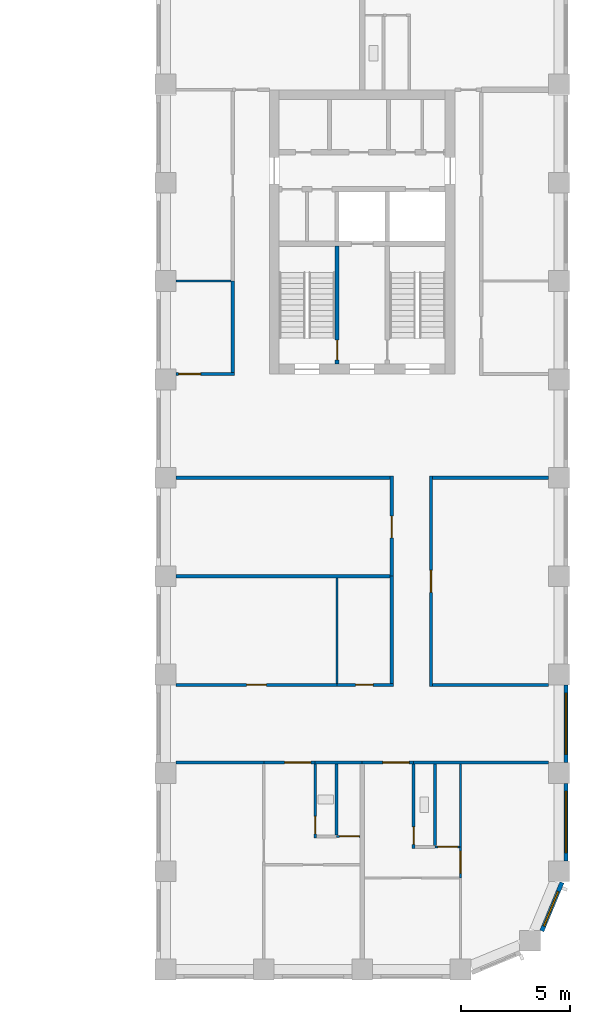
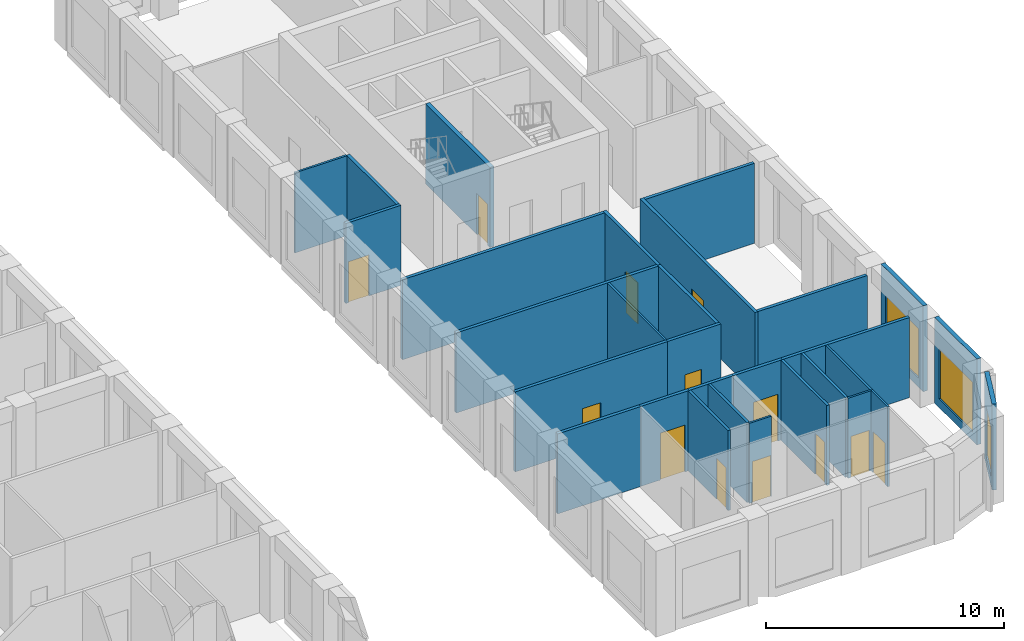
# One storey, part 5 of 13: 30 walls, 13 doors, 3 windows, 16 openings.
"""IFC4 building model written with IfcOpenShell, lengths in metres."""

from ifc_helpers import new_model, si_unit, direction, frame, frame_2d, origin, place, context, subcontext, project, spatial, rectangle, extrude, material, layer, layer_set, type_object, element, fill, save


model = new_model("IFC4")

# Units and contexts
model_context = context("Model", 3, precision=1e-05, world=origin(), true_north=direction((0.0, 1.0)))
body_context = subcontext(model_context, "Body", "Model", "MODEL_VIEW")
ifc_project = project(units=[si_unit("LENGTHUNIT", "METRE"), si_unit("AREAUNIT", "SQUARE_METRE"), si_unit("VOLUMEUNIT", "CUBIC_METRE"), si_unit("PLANEANGLEUNIT", "RADIAN"), si_unit("MASSUNIT", "GRAM", prefix="KILO")], contexts=[model_context])

# Site, building, storey
site_placement = place(None, origin())
site = spatial("IfcSite", under=ifc_project, at=site_placement, CompositionType="ELEMENT")
building_placement = place(site_placement, origin())
building = spatial("IfcBuilding", under=site, at=building_placement, Name="Girih Gate Residences", CompositionType="ELEMENT")
storey_placement = place(building_placement, frame((0.0, 0.0, 150.60009765625)))
storey = spatial("IfcBuildingStorey", under=building, at=storey_placement, Name="L42", CompositionType="ELEMENT", Elevation=150.60009765625)

# Wall
ifc_material_1 = material(Name="Gypsum board on steel studs", Category="steel")
ifc_layer_1 = layer(ifc_material_1, 0.14990234375)
ifc_layer_set_1 = layer_set([ifc_layer_1], Name="Compartment wall 150 mm")
wall_type_1 = type_object("IfcWallType", Name="Compartment wall 150 mm", PredefinedType="PARTITIONING", material=ifc_layer_set_1)
wall_1_placement = place(storey_placement, frame((42.85009765625, 9.47509765625, 0.0), z_axis=(0.0, 0.0, 1.0), x_axis=(1.0, 0.0, 0.0)))
element("IfcWall", 1, at=wall_1_placement, inside=storey, type_object=wall_type_1, Name="L42 partition", PredefinedType="PARTITIONING", context=body_context, shape_type="SweptSolid", body=[
    extrude(rectangle(XDim=6.1748046875, YDim=0.14990234375, at=frame_2d((3.08740234375, 0.0))), origin(), (0.0, 0.0, 1.0), 4.099853515625),
])

# Wall, opening, door
wall_2_placement = place(storey_placement, frame((42.85009765625, 9.47509765625, 0.0), z_axis=(0.0, 0.0, 1.0), x_axis=(-1.0, 0.0, 0.0)))
wall_2 = element("IfcWall", 2, at=wall_2_placement, inside=storey, type_object=wall_type_1, Name="L42 partition", PredefinedType="PARTITIONING", context=body_context, shape_type="SweptSolid", body=[
    extrude(rectangle(XDim=2.35009765625, YDim=0.14990234375, at=frame_2d((1.175048828125, 0.0))), origin(), (0.0, 0.0, 1.0), 4.099853515625),
])
opening_1_placement = place(wall_2_placement, frame((0.199951171875, 0.0, 0.0)))
opening_1 = element("IfcOpeningElement", 3, at=opening_1_placement, cuts=wall_2, Name="Opening A42-016", PredefinedType="OPENING", context=body_context, shape_type="SweptSolid", body=[
    extrude(rectangle(XDim=1.199951171875, YDim=2.39990234375, at=frame_2d((0.60009765625, 1.199951171875))), frame((0.0, 0.0849609375, 0.0), z_axis=(0.0, -1.0, 0.0), x_axis=(1.0, 0.0, 0.0)), (0.0, 0.0, 1.0), 0.169921875),
])
ifc_material_2 = material(Name="Timber, fire-rated core", Category="wood")
door_type_1 = type_object("IfcDoorType", Name="Villa entrance door 1200x2400 FD30S", OperationType="NOTDEFINED", PredefinedType="DOOR", material=ifc_material_2)
door_1_placement = place(opening_1_placement, origin())
door_1 = element("IfcDoor", 4, at=door_1_placement, inside=storey, type_object=door_type_1, Name="Door A42-016", OperationType="SINGLE_SWING_LEFT", OverallHeight=2.39990234375, OverallWidth=1.199951171875, PredefinedType="DOOR", context=body_context, shape_type="SweptSolid", body=[
    extrude(rectangle(XDim=1.199951171875, YDim=2.39990234375, at=frame_2d((0.60009765625, 1.199951171875))), frame((0.0, 0.02490234375, 0.0), z_axis=(0.0, -1.0, 0.0), x_axis=(1.0, 0.0, 0.0)), (0.0, 0.0, 1.0), 0.050048828125),
])
fill(opening_1, door_1)

# Wall
wall_3_placement = place(storey_placement, frame((38.35009765625, 9.47509765625, 0.0), z_axis=(0.0, 0.0, 1.0), x_axis=(1.0, 0.0, 0.0)))
element("IfcWall", 5, at=wall_3_placement, inside=storey, type_object=wall_type_1, Name="L42 partition", PredefinedType="PARTITIONING", context=body_context, shape_type="SweptSolid", body=[
    extrude(rectangle(XDim=2.14990234375, YDim=0.14990234375, at=frame_2d((1.074951171875, 0.0))), origin(), (0.0, 0.0, 1.0), 4.099853515625),
])

# Wall, opening, door
wall_4_placement = place(storey_placement, frame((38.35009765625, 9.47509765625, 0.0), z_axis=(0.0, 0.0, 1.0), x_axis=(-1.0, 0.0, 0.0)))
wall_4 = element("IfcWall", 6, at=wall_4_placement, inside=storey, type_object=wall_type_1, Name="L42 partition", PredefinedType="PARTITIONING", context=body_context, shape_type="SweptSolid", body=[
    extrude(rectangle(XDim=2.35009765625, YDim=0.14990234375, at=frame_2d((1.175048828125, 0.0))), origin(), (0.0, 0.0, 1.0), 4.099853515625),
])
opening_2_placement = place(wall_4_placement, frame((0.199951171875, 0.0, 0.0)))
opening_2 = element("IfcOpeningElement", 7, at=opening_2_placement, cuts=wall_4, Name="Opening A42-021", PredefinedType="OPENING", context=body_context, shape_type="SweptSolid", body=[
    extrude(rectangle(XDim=1.199951171875, YDim=2.39990234375, at=frame_2d((0.60009765625, 1.199951171875))), frame((0.0, 0.0849609375, 0.0), z_axis=(0.0, -1.0, 0.0), x_axis=(1.0, 0.0, 0.0)), (0.0, 0.0, 1.0), 0.169921875),
])
door_2_placement = place(opening_2_placement, origin())
door_2 = element("IfcDoor", 8, at=door_2_placement, inside=storey, type_object=door_type_1, Name="Door A42-021", OperationType="SINGLE_SWING_LEFT", OverallHeight=2.39990234375, OverallWidth=1.199951171875, PredefinedType="DOOR", context=body_context, shape_type="SweptSolid", body=[
    extrude(rectangle(XDim=1.199951171875, YDim=2.39990234375, at=frame_2d((0.60009765625, 1.199951171875))), frame((0.0, 0.02490234375, 0.0), z_axis=(0.0, -1.0, 0.0), x_axis=(1.0, 0.0, 0.0)), (0.0, 0.0, 1.0), 0.050048828125),
])
fill(opening_2, door_2)

# Walls
wall_5_placement = place(storey_placement, frame((31.97509765625, 9.47509765625, 0.0), z_axis=(0.0, 0.0, 1.0), x_axis=(1.0, 0.0, 0.0)))
element("IfcWall", 9, at=wall_5_placement, inside=storey, type_object=wall_type_1, Name="L42 partition", PredefinedType="PARTITIONING", context=body_context, shape_type="SweptSolid", body=[
    extrude(rectangle(XDim=4.02490234375, YDim=0.14990234375, at=frame_2d((2.012451171875, 0.0))), origin(), (0.0, 0.0, 1.0), 4.099853515625),
])
wall_6_placement = place(storey_placement, frame((31.97509765625, 22.5, 0.0), z_axis=(0.0, 0.0, 1.0), x_axis=(1.0, 0.0, 0.0)))
element("IfcWall", 10, at=wall_6_placement, inside=storey, type_object=wall_type_1, Name="L42 partition", PredefinedType="PARTITIONING", context=body_context, shape_type="SweptSolid", body=[
    extrude(rectangle(XDim=9.7998046875, YDim=0.14990234375, at=frame_2d((4.89990234375, 0.0))), origin(), (0.0, 0.0, 1.0), 4.099853515625),
])

# Wall, opening, door
wall_7_placement = place(storey_placement, frame((41.85009765625, 18.0, 0.0), z_axis=(0.0, 0.0, 1.0), x_axis=(0.0, 1.0, 0.0)))
wall_7 = element("IfcWall", 11, at=wall_7_placement, inside=storey, type_object=wall_type_1, Name="L42 partition", PredefinedType="PARTITIONING", context=body_context, shape_type="SweptSolid", body=[
    extrude(rectangle(XDim=4.574951171875, YDim=0.14990234375, at=frame_2d((2.28759765625, 0.0))), origin(), (0.0, 0.0, 1.0), 4.099853515625),
])
opening_3_placement = place(wall_7_placement, frame((1.75, 0.0, 0.0)))
opening_3 = element("IfcOpeningElement", 12, at=opening_3_placement, cuts=wall_7, Name="Opening A42-027", PredefinedType="OPENING", context=body_context, shape_type="SweptSolid", body=[
    extrude(rectangle(XDim=1.0, YDim=2.10009765625, at=frame_2d((0.5, 1.050048828125))), frame((0.0, 0.0849609375, 0.0), z_axis=(0.0, -1.0, 0.0), x_axis=(1.0, 0.0, 0.0)), (0.0, 0.0, 1.0), 0.169921875),
])
door_type_2 = type_object("IfcDoorType", Name="Amenity room door 1000x2100 FD30S", OperationType="NOTDEFINED", PredefinedType="DOOR", material=ifc_material_2)
door_3_placement = place(opening_3_placement, origin())
door_3 = element("IfcDoor", 13, at=door_3_placement, inside=storey, type_object=door_type_2, Name="Door A42-027", OperationType="SINGLE_SWING_LEFT", OverallHeight=2.10009765625, OverallWidth=1.0, PredefinedType="DOOR", context=body_context, shape_type="SweptSolid", body=[
    extrude(rectangle(XDim=1.0, YDim=2.10009765625, at=frame_2d((0.5, 1.050048828125))), frame((0.0, 0.02490234375, 0.0), z_axis=(0.0, -1.0, 0.0), x_axis=(1.0, 0.0, 0.0)), (0.0, 0.0, 1.0), 0.050048828125),
])
fill(opening_3, door_3)

# Wall
wall_8_placement = place(storey_placement, frame((31.97509765625, 18.0, 0.0), z_axis=(0.0, 0.0, 1.0), x_axis=(1.0, 0.0, 0.0)))
element("IfcWall", 14, at=wall_8_placement, inside=storey, type_object=wall_type_1, Name="L42 partition", PredefinedType="PARTITIONING", context=body_context, shape_type="SweptSolid", body=[
    extrude(rectangle(XDim=9.7998046875, YDim=0.14990234375, at=frame_2d((4.89990234375, 0.0))), origin(), (0.0, 0.0, 1.0), 4.099853515625),
])

# Wall, opening, door
wall_9_placement = place(storey_placement, frame((31.97509765625, 13.02490234375, 0.0), z_axis=(0.0, 0.0, 1.0), x_axis=(1.0, 0.0, 0.0)))
wall_9 = element("IfcWall", 15, at=wall_9_placement, inside=storey, type_object=wall_type_1, Name="L42 partition", PredefinedType="PARTITIONING", context=body_context, shape_type="SweptSolid", body=[
    extrude(rectangle(XDim=7.375, YDim=0.14990234375, at=frame_2d((3.6875, 0.0))), origin(), (0.0, 0.0, 1.0), 4.099853515625),
])
opening_4_placement = place(wall_9_placement, frame((3.237548828125, 0.0, 0.0)))
opening_4 = element("IfcOpeningElement", 16, at=opening_4_placement, cuts=wall_9, Name="Opening A42-029", PredefinedType="OPENING", context=body_context, shape_type="SweptSolid", body=[
    extrude(rectangle(XDim=0.89990234375, YDim=2.10009765625, at=frame_2d((0.449951171875, 1.050048828125))), frame((0.0, 0.0849609375, 0.0), z_axis=(0.0, -1.0, 0.0), x_axis=(1.0, 0.0, 0.0)), (0.0, 0.0, 1.0), 0.169921875),
])
ifc_material_3 = material(Name="Timber", Category="wood")
door_type_3 = type_object("IfcDoorType", Name="Service room door 900x2100", OperationType="NOTDEFINED", PredefinedType="DOOR", material=ifc_material_3)
door_4_placement = place(opening_4_placement, origin())
door_4 = element("IfcDoor", 17, at=door_4_placement, inside=storey, type_object=door_type_3, Name="Door A42-029", OperationType="SINGLE_SWING_LEFT", OverallHeight=2.10009765625, OverallWidth=0.89990234375, PredefinedType="DOOR", context=body_context, shape_type="SweptSolid", body=[
    extrude(rectangle(XDim=0.89990234375, YDim=2.10009765625, at=frame_2d((0.449951171875, 1.050048828125))), frame((0.0, 0.02490234375, 0.0), z_axis=(0.0, -1.0, 0.0), x_axis=(1.0, 0.0, 0.0)), (0.0, 0.0, 1.0), 0.050048828125),
])
fill(opening_4, door_4)

wall_10_placement = place(storey_placement, frame((39.35009765625, 13.02490234375, 0.0), z_axis=(0.0, 0.0, 1.0), x_axis=(1.0, 0.0, 0.0)))
wall_10 = element("IfcWall", 18, at=wall_10_placement, inside=storey, type_object=wall_type_1, Name="L42 partition", PredefinedType="PARTITIONING", context=body_context, shape_type="SweptSolid", body=[
    extrude(rectangle(XDim=2.574951171875, YDim=0.14990234375, at=frame_2d((1.28759765625, 0.0))), origin(), (0.0, 0.0, 1.0), 4.099853515625),
])
opening_5_placement = place(wall_10_placement, frame((0.85009765625, 0.0, 0.0)))
opening_5 = element("IfcOpeningElement", 19, at=opening_5_placement, cuts=wall_10, Name="Opening A42-030", PredefinedType="OPENING", context=body_context, shape_type="SweptSolid", body=[
    extrude(rectangle(XDim=0.800048828125, YDim=2.10009765625, at=frame_2d((0.39990234375, 1.050048828125))), frame((0.0, 0.0849609375, 0.0), z_axis=(0.0, -1.0, 0.0), x_axis=(1.0, 0.0, 0.0)), (0.0, 0.0, 1.0), 0.169921875),
])
door_type_4 = type_object("IfcDoorType", Name="Bathroom door 800x2100", OperationType="NOTDEFINED", PredefinedType="DOOR", material=ifc_material_3)
door_5_placement = place(opening_5_placement, origin())
door_5 = element("IfcDoor", 20, at=door_5_placement, inside=storey, type_object=door_type_4, Name="Door A42-030", OperationType="SINGLE_SWING_LEFT", OverallHeight=2.10009765625, OverallWidth=0.800048828125, PredefinedType="DOOR", context=body_context, shape_type="SweptSolid", body=[
    extrude(rectangle(XDim=0.800048828125, YDim=2.10009765625, at=frame_2d((0.39990234375, 1.050048828125))), frame((0.0, 0.02490234375, 0.0), z_axis=(0.0, -1.0, 0.0), x_axis=(1.0, 0.0, 0.0)), (0.0, 0.0, 1.0), 0.050048828125),
])
fill(opening_5, door_5)

# Wall
wall_11_placement = place(storey_placement, frame((43.72509765625, 13.02490234375, 0.0), z_axis=(0.0, 0.0, 1.0), x_axis=(1.0, 0.0, 0.0)))
element("IfcWall", 21, at=wall_11_placement, inside=storey, type_object=wall_type_1, Name="L42 partition", PredefinedType="PARTITIONING", context=body_context, shape_type="SweptSolid", body=[
    extrude(rectangle(XDim=5.2998046875, YDim=0.14990234375, at=frame_2d((2.64990234375, 0.0))), origin(), (0.0, 0.0, 1.0), 4.099853515625),
])

# Wall, opening, door
wall_12_placement = place(storey_placement, frame((31.97509765625, 27.25, 0.0), z_axis=(0.0, 0.0, 1.0), x_axis=(1.0, 0.0, 0.0)))
wall_12 = element("IfcWall", 22, at=wall_12_placement, inside=storey, type_object=wall_type_1, Name="L42 partition", PredefinedType="PARTITIONING", context=body_context, shape_type="SweptSolid", body=[
    extrude(rectangle(XDim=2.6748046875, YDim=0.14990234375, at=frame_2d((1.33740234375, 0.0))), origin(), (0.0, 0.0, 1.0), 4.099853515625),
])
opening_6_placement = place(wall_12_placement, frame((0.1298828125, 0.0, 0.0)))
opening_6 = element("IfcOpeningElement", 23, at=opening_6_placement, cuts=wall_12, Name="Opening A42-035", PredefinedType="OPENING", context=body_context, shape_type="SweptSolid", body=[
    extrude(rectangle(XDim=1.0, YDim=2.10009765625, at=frame_2d((0.5, 1.050048828125))), frame((0.0, 0.0849609375, 0.0), z_axis=(0.0, -1.0, 0.0), x_axis=(1.0, 0.0, 0.0)), (0.0, 0.0, 1.0), 0.169921875),
])
door_6_placement = place(opening_6_placement, origin())
door_6 = element("IfcDoor", 24, at=door_6_placement, inside=storey, type_object=door_type_2, Name="Door A42-035", OperationType="SINGLE_SWING_LEFT", OverallHeight=2.10009765625, OverallWidth=1.0, PredefinedType="DOOR", context=body_context, shape_type="SweptSolid", body=[
    extrude(rectangle(XDim=1.0, YDim=2.10009765625, at=frame_2d((0.5, 1.050048828125))), frame((0.0, 0.02490234375, 0.0), z_axis=(0.0, -1.0, 0.0), x_axis=(1.0, 0.0, 0.0)), (0.0, 0.0, 1.0), 0.050048828125),
])
fill(opening_6, door_6)

# Walls
wall_13_placement = place(storey_placement, frame((34.574951171875, 27.324951171875, 0.0), z_axis=(0.0, 0.0, 1.0), x_axis=(0.0, 1.0, 0.0)))
element("IfcWall", 25, at=wall_13_placement, inside=storey, type_object=wall_type_1, Name="L42 partition", PredefinedType="PARTITIONING", context=body_context, shape_type="SweptSolid", body=[
    extrude(rectangle(XDim=4.175048828125, YDim=0.14990234375, at=frame_2d((2.08740234375, 0.0))), origin(), (0.0, 0.0, 1.0), 4.099853515625),
])
wall_14_placement = place(storey_placement, frame((43.72509765625, 22.5, 0.0), z_axis=(0.0, 0.0, 1.0), x_axis=(1.0, 0.0, 0.0)))
element("IfcWall", 26, at=wall_14_placement, inside=storey, type_object=wall_type_1, Name="L42 partition", PredefinedType="PARTITIONING", context=body_context, shape_type="SweptSolid", body=[
    extrude(rectangle(XDim=5.2998046875, YDim=0.14990234375, at=frame_2d((2.64990234375, 0.0))), origin(), (0.0, 0.0, 1.0), 4.099853515625),
])
wall_15_placement = place(storey_placement, frame((41.85009765625, 13.10009765625, 0.0), z_axis=(0.0, 0.0, 1.0), x_axis=(0.0, 1.0, 0.0)))
element("IfcWall", 27, at=wall_15_placement, inside=storey, type_object=wall_type_1, Name="L42 partition", PredefinedType="PARTITIONING", context=body_context, shape_type="SweptSolid", body=[
    extrude(rectangle(XDim=4.89990234375, YDim=0.14990234375, at=frame_2d((2.449951171875, 0.0))), origin(), (0.0, 0.0, 1.0), 4.099853515625),
])

# Wall, opening, door
wall_16_placement = place(storey_placement, frame((43.64990234375, 22.574951171875, 0.0), z_axis=(0.0, 0.0, 1.0), x_axis=(0.0, -1.0, 0.0)))
wall_16 = element("IfcWall", 28, at=wall_16_placement, inside=storey, type_object=wall_type_1, Name="L42 partition", PredefinedType="PARTITIONING", context=body_context, shape_type="SweptSolid", body=[
    extrude(rectangle(XDim=9.625, YDim=0.14990234375, at=frame_2d((4.8125, 0.0))), origin(), (0.0, 0.0, 1.0), 4.099853515625),
])
opening_7_placement = place(wall_16_placement, frame((4.3125, 0.0, 0.0)))
opening_7 = element("IfcOpeningElement", 29, at=opening_7_placement, cuts=wall_16, Name="Opening A42-043", PredefinedType="OPENING", context=body_context, shape_type="SweptSolid", body=[
    extrude(rectangle(XDim=1.0, YDim=2.10009765625, at=frame_2d((0.5, 1.050048828125))), frame((0.0, 0.0849609375, 0.0), z_axis=(0.0, -1.0, 0.0), x_axis=(1.0, 0.0, 0.0)), (0.0, 0.0, 1.0), 0.169921875),
])
door_7_placement = place(opening_7_placement, origin())
door_7 = element("IfcDoor", 30, at=door_7_placement, inside=storey, type_object=door_type_2, Name="Door A42-043", OperationType="SINGLE_SWING_RIGHT", OverallHeight=2.10009765625, OverallWidth=1.0, PredefinedType="DOOR", context=body_context, shape_type="SweptSolid", body=[
    extrude(rectangle(XDim=1.0, YDim=2.10009765625, at=frame_2d((0.5, 1.050048828125))), frame((0.0, 0.02490234375, 0.0), z_axis=(0.0, -1.0, 0.0), x_axis=(1.0, 0.0, 0.0)), (0.0, 0.0, 1.0), 0.050048828125),
])
fill(opening_7, door_7)

ifc_layer_2 = layer(ifc_material_1, 0.10009765625)
ifc_layer_set_2 = layer_set([ifc_layer_2], Name="Partition 100 mm")
wall_type_2 = type_object("IfcWallType", Name="Partition 100 mm", PredefinedType="PARTITIONING", material=ifc_layer_set_2)
wall_17_placement = place(storey_placement, frame((43.827392578125, 5.614990234375, 0.0), z_axis=(0.0, 0.0, 1.0), x_axis=(1.0, 0.0, 0.0)))
wall_17 = element("IfcWall", 31, at=wall_17_placement, inside=storey, type_object=wall_type_2, Name="L42 partition", PredefinedType="PARTITIONING", context=body_context, shape_type="SweptSolid", body=[
    extrude(rectangle(XDim=1.12255859375, YDim=0.10009765625, at=frame_2d((0.561279296875, 0.0))), origin(), (0.0, 0.0, 1.0), 4.099853515625),
])
opening_8_placement = place(wall_17_placement, frame((0.136474609375, 0.0, 0.0)))
opening_8 = element("IfcOpeningElement", 32, at=opening_8_placement, cuts=wall_17, Name="Opening A42-014", PredefinedType="OPENING", context=body_context, shape_type="SweptSolid", body=[
    extrude(rectangle(XDim=0.89990234375, YDim=2.10009765625, at=frame_2d((0.449951171875, 1.050048828125))), frame((0.0, 0.06005859375, 0.0), z_axis=(0.0, -1.0, 0.0), x_axis=(1.0, 0.0, 0.0)), (0.0, 0.0, 1.0), 0.1201171875),
])
door_type_5 = type_object("IfcDoorType", Name="Kitchen door 900x2100", OperationType="NOTDEFINED", PredefinedType="DOOR", material=ifc_material_3)
door_8_placement = place(opening_8_placement, origin())
door_8 = element("IfcDoor", 33, at=door_8_placement, inside=storey, type_object=door_type_5, Name="Door A42-014", OperationType="SINGLE_SWING_RIGHT", OverallHeight=2.10009765625, OverallWidth=0.89990234375, PredefinedType="DOOR", context=body_context, shape_type="SweptSolid", body=[
    extrude(rectangle(XDim=0.89990234375, YDim=2.10009765625, at=frame_2d((0.449951171875, 1.050048828125))), frame((0.0, 0.02490234375, 0.0), z_axis=(0.0, -1.0, 0.0), x_axis=(1.0, 0.0, 0.0)), (0.0, 0.0, 1.0), 0.050048828125),
])
fill(opening_8, door_8)

wall_18_placement = place(storey_placement, frame((45.0, 5.614990234375, 0.0), z_axis=(0.0, 0.0, 1.0), x_axis=(0.0, -1.0, 0.0)))
wall_18 = element("IfcWall", 34, at=wall_18_placement, inside=storey, type_object=wall_type_2, Name="L42 partition", PredefinedType="PARTITIONING", context=body_context, shape_type="SweptSolid", body=[
    extrude(rectangle(XDim=1.419921875, YDim=0.10009765625, at=frame_2d((0.7099609375, 0.0))), origin(), (0.0, 0.0, 1.0), 4.099853515625),
])
opening_9_placement = place(wall_18_placement, frame((0.2099609375, 0.0, 0.0)))
opening_9 = element("IfcOpeningElement", 35, at=opening_9_placement, cuts=wall_18, Name="Opening A42-015", PredefinedType="OPENING", context=body_context, shape_type="SweptSolid", body=[
    extrude(rectangle(XDim=1.0, YDim=2.10009765625, at=frame_2d((0.5, 1.050048828125))), frame((0.0, 0.06005859375, 0.0), z_axis=(0.0, -1.0, 0.0), x_axis=(1.0, 0.0, 0.0)), (0.0, 0.0, 1.0), 0.1201171875),
])
door_type_6 = type_object("IfcDoorType", Name="Living room door 1000x2100", OperationType="NOTDEFINED", PredefinedType="DOOR", material=ifc_material_3)
door_9_placement = place(opening_9_placement, origin())
door_9 = element("IfcDoor", 36, at=door_9_placement, inside=storey, type_object=door_type_6, Name="Door A42-015", OperationType="SINGLE_SWING_RIGHT", OverallHeight=2.10009765625, OverallWidth=1.0, PredefinedType="DOOR", context=body_context, shape_type="SweptSolid", body=[
    extrude(rectangle(XDim=1.0, YDim=2.10009765625, at=frame_2d((0.5, 1.050048828125))), frame((0.0, 0.02490234375, 0.0), z_axis=(0.0, -1.0, 0.0), x_axis=(1.0, 0.0, 0.0)), (0.0, 0.0, 1.0), 0.050048828125),
])
fill(opening_9, door_9)

# Wall
wall_19_placement = place(storey_placement, frame((45.0, 5.614990234375, 0.0), z_axis=(0.0, 0.0, 1.0), x_axis=(0.0, 1.0, 0.0)))
element("IfcWall", 37, at=wall_19_placement, inside=storey, type_object=wall_type_2, Name="L42 partition", PredefinedType="PARTITIONING", context=body_context, shape_type="SweptSolid", body=[
    extrude(rectangle(XDim=3.784912109375, YDim=0.10009765625, at=frame_2d((1.892578125, 0.0))), origin(), (0.0, 0.0, 1.0), 4.099853515625),
])

# Wall, opening, door
wall_20_placement = place(storey_placement, frame((39.327392578125, 6.094970703125, 0.0), z_axis=(0.0, 0.0, 1.0), x_axis=(1.0, 0.0, 0.0)))
wall_20 = element("IfcWall", 38, at=wall_20_placement, inside=storey, type_object=wall_type_2, Name="L42 partition", PredefinedType="PARTITIONING", context=body_context, shape_type="SweptSolid", body=[
    extrude(rectangle(XDim=1.072509765625, YDim=0.10009765625, at=frame_2d((0.5361328125, 0.0))), origin(), (0.0, 0.0, 1.0), 4.099853515625),
])
opening_10_placement = place(wall_20_placement, frame((0.136474609375, 0.0, 0.0)))
opening_10 = element("IfcOpeningElement", 39, at=opening_10_placement, cuts=wall_20, Name="Opening A42-019", PredefinedType="OPENING", context=body_context, shape_type="SweptSolid", body=[
    extrude(rectangle(XDim=0.89990234375, YDim=2.10009765625, at=frame_2d((0.449951171875, 1.050048828125))), frame((0.0, 0.06005859375, 0.0), z_axis=(0.0, -1.0, 0.0), x_axis=(1.0, 0.0, 0.0)), (0.0, 0.0, 1.0), 0.1201171875),
])
door_10_placement = place(opening_10_placement, origin())
door_10 = element("IfcDoor", 40, at=door_10_placement, inside=storey, type_object=door_type_5, Name="Door A42-019", OperationType="SINGLE_SWING_RIGHT", OverallHeight=2.10009765625, OverallWidth=0.89990234375, PredefinedType="DOOR", context=body_context, shape_type="SweptSolid", body=[
    extrude(rectangle(XDim=0.89990234375, YDim=2.10009765625, at=frame_2d((0.449951171875, 1.050048828125))), frame((0.0, 0.02490234375, 0.0), z_axis=(0.0, -1.0, 0.0), x_axis=(1.0, 0.0, 0.0)), (0.0, 0.0, 1.0), 0.050048828125),
])
fill(opening_10, door_10)

# Walls
wall_21_placement = place(storey_placement, frame((31.97509765625, 31.5, 0.0), z_axis=(0.0, 0.0, 1.0), x_axis=(1.0, 0.0, 0.0)))
element("IfcWall", 41, at=wall_21_placement, inside=storey, type_object=wall_type_2, Name="L42 partition", PredefinedType="PARTITIONING", context=body_context, shape_type="SweptSolid", body=[
    extrude(rectangle(XDim=2.52490234375, YDim=0.10009765625, at=frame_2d((1.262451171875, 0.0))), origin(), (0.0, 0.0, 1.0), 4.099853515625),
])
wall_22_placement = place(storey_placement, frame((39.35009765625, 13.10009765625, 0.0), z_axis=(0.0, 0.0, 1.0), x_axis=(0.0, 1.0, 0.0)))
element("IfcWall", 42, at=wall_22_placement, inside=storey, type_object=wall_type_2, Name="L42 partition", PredefinedType="PARTITIONING", context=body_context, shape_type="SweptSolid", body=[
    extrude(rectangle(XDim=4.824951171875, YDim=0.10009765625, at=frame_2d((2.41259765625, 0.0))), origin(), (0.0, 0.0, 1.0), 4.099853515625),
])

# Wall, opening, window
ifc_material_4 = material(Name="Precast concrete C50/60", Category="concrete")
ifc_layer_3 = layer(ifc_material_4, 0.06005859375, Name="Outer leaf")
ifc_material_5 = material(Name="Rigid PIR insulation")
ifc_layer_4 = layer(ifc_material_5, 0.090087890625, Name="Insulation")
ifc_material_6 = material(Name="Precast concrete C40/50", Category="concrete")
ifc_layer_5 = layer(ifc_material_6, 0.050048828125, Name="Inner leaf")
ifc_layer_set_3 = layer_set([ifc_layer_3, ifc_layer_4, ifc_layer_5], Name="Precast concrete C50/60 external wall 200")
wall_type_3 = type_object("IfcWallType", Name="Precast concrete C50/60 external wall 200", PredefinedType="SOLIDWALL", material=ifc_layer_set_3)
wall_23_placement = place(storey_placement, frame((49.63916015625, 3.98681640625, 0.0), z_axis=(0.0, 0.0, 1.0), x_axis=(-0.382680855588, -0.923880599843, 0.0)))
wall_23 = element("IfcWall", 43, at=wall_23_placement, inside=storey, type_object=wall_type_3, Name="External wall SE0482_0013.0", PredefinedType="SOLIDWALL", context=body_context, shape_type="SweptSolid", body=[
    extrude(rectangle(XDim=2.402587890625, YDim=0.199951171875, at=frame_2d((1.201171875, 0.0))), origin(), (0.0, 0.0, 1.0), 4.39990234375),
])
opening_11_placement = place(wall_23_placement, frame((0.451171875, 0.0, 0.449951171875)))
opening_11 = element("IfcOpeningElement", 44, at=opening_11_placement, cuts=wall_23, Name="Opening W-2F", PredefinedType="OPENING", context=body_context, shape_type="SweptSolid", body=[
    extrude(rectangle(XDim=1.699951171875, YDim=2.550048828125, at=frame_2d((0.85009765625, 1.27490234375))), frame((0.0, 0.10986328125, 0.0), z_axis=(0.0, -1.0, 0.0), x_axis=(1.0, 0.0, 0.0)), (0.0, 0.0, 1.0), 0.219970703125),
])
ifc_material_7 = material(Name="Double glazing in aluminium frame", Category="aluminium")
window_type_1 = type_object("IfcWindowType", Name="Window W-2F 1700x2550", PartitioningType="SINGLE_PANEL", PredefinedType="WINDOW", material=ifc_material_7)
window_1_placement = place(opening_11_placement, origin())
window_1 = element("IfcWindow", 45, at=window_1_placement, inside=storey, type_object=window_type_1, Name="Window W-2F SE0482_0013.0", OverallHeight=2.550048828125, OverallWidth=1.699951171875, PartitioningType="SINGLE_PANEL", PredefinedType="WINDOW", context=body_context, shape_type="SweptSolid", body=[
    extrude(rectangle(XDim=1.699951171875, YDim=2.550048828125, at=frame_2d((0.85009765625, 1.27490234375))), frame((0.0, 0.030029296875, 0.0), z_axis=(0.0, -1.0, 0.0), x_axis=(1.0, 0.0, 0.0)), (0.0, 0.0, 1.0), 0.06005859375),
])
fill(opening_11, window_1)

wall_24_placement = place(storey_placement, frame((49.824951171875, 8.52490234375, 0.0), z_axis=(0.0, 0.0, 1.0), x_axis=(0.0, -1.0, 0.0)))
wall_24 = element("IfcWall", 46, at=wall_24_placement, inside=storey, type_object=wall_type_3, Name="External wall E0495_0045.0", PredefinedType="SOLIDWALL", context=body_context, shape_type="SweptSolid", body=[
    extrude(rectangle(XDim=3.5498046875, YDim=0.199951171875, at=frame_2d((1.77490234375, 0.0))), origin(), (0.0, 0.0, 1.0), 4.39990234375),
])
opening_12_placement = place(wall_24_placement, frame((0.375, 0.0, 0.449951171875)))
opening_12 = element("IfcOpeningElement", 47, at=opening_12_placement, cuts=wall_24, Name="Opening W-6A", PredefinedType="OPENING", context=body_context, shape_type="SweptSolid", body=[
    extrude(rectangle(XDim=2.800048828125, YDim=2.550048828125, at=frame_2d((1.39990234375, 1.27490234375))), frame((0.0, 0.10986328125, 0.0), z_axis=(0.0, -1.0, 0.0), x_axis=(1.0, 0.0, 0.0)), (0.0, 0.0, 1.0), 0.219970703125),
])
window_type_2 = type_object("IfcWindowType", Name="Window W-6A 2800x2550", PartitioningType="SINGLE_PANEL", PredefinedType="WINDOW", material=ifc_material_7)
window_2_placement = place(opening_12_placement, origin())
window_2 = element("IfcWindow", 48, at=window_2_placement, inside=storey, type_object=window_type_2, Name="Window W-6A E0495_0045.0", OverallHeight=2.550048828125, OverallWidth=2.800048828125, PartitioningType="SINGLE_PANEL", PredefinedType="WINDOW", context=body_context, shape_type="SweptSolid", body=[
    extrude(rectangle(XDim=2.800048828125, YDim=2.550048828125, at=frame_2d((1.39990234375, 1.27490234375))), frame((0.0, 0.030029296875, 0.0), z_axis=(0.0, -1.0, 0.0), x_axis=(1.0, 0.0, 0.0)), (0.0, 0.0, 1.0), 0.06005859375),
])
fill(opening_12, window_2)

wall_25_placement = place(storey_placement, frame((49.824951171875, 13.02490234375, 0.0), z_axis=(0.0, 0.0, 1.0), x_axis=(0.0, -1.0, 0.0)))
wall_25 = element("IfcWall", 49, at=wall_25_placement, inside=storey, type_object=wall_type_3, Name="External wall E0495_0045.1", PredefinedType="SOLIDWALL", context=body_context, shape_type="SweptSolid", body=[
    extrude(rectangle(XDim=3.5498046875, YDim=0.199951171875, at=frame_2d((1.77490234375, 0.0))), origin(), (0.0, 0.0, 1.0), 4.39990234375),
])
opening_13_placement = place(wall_25_placement, frame((0.375, 0.0, 0.449951171875)))
opening_13 = element("IfcOpeningElement", 50, at=opening_13_placement, cuts=wall_25, Name="Opening W-6A", PredefinedType="OPENING", context=body_context, shape_type="SweptSolid", body=[
    extrude(rectangle(XDim=2.800048828125, YDim=2.550048828125, at=frame_2d((1.39990234375, 1.27490234375))), frame((0.0, 0.10986328125, 0.0), z_axis=(0.0, -1.0, 0.0), x_axis=(1.0, 0.0, 0.0)), (0.0, 0.0, 1.0), 0.219970703125),
])
window_3_placement = place(opening_13_placement, origin())
window_3 = element("IfcWindow", 51, at=window_3_placement, inside=storey, type_object=window_type_2, Name="Window W-6A E0495_0045.1", OverallHeight=2.550048828125, OverallWidth=2.800048828125, PartitioningType="SINGLE_PANEL", PredefinedType="WINDOW", context=body_context, shape_type="SweptSolid", body=[
    extrude(rectangle(XDim=2.800048828125, YDim=2.550048828125, at=frame_2d((1.39990234375, 1.27490234375))), frame((0.0, 0.030029296875, 0.0), z_axis=(0.0, -1.0, 0.0), x_axis=(1.0, 0.0, 0.0)), (0.0, 0.0, 1.0), 0.06005859375),
])
fill(opening_13, window_3)

# Wall, opening, door
ifc_material_8 = material(Name="Concrete C40/50", Category="concrete")
ifc_layer_6 = layer(ifc_material_8, 0.199951171875)
ifc_layer_set_4 = layer_set([ifc_layer_6], Name="Shaft wall 200")
wall_type_4 = type_object("IfcWallType", Name="Shaft wall 200", PredefinedType="SOLIDWALL", material=ifc_layer_set_4)
wall_26_placement = place(storey_placement, frame((39.35009765625, 27.699951171875, 0.0), z_axis=(0.0, 0.0, 1.0), x_axis=(0.0, 1.0, 0.0)))
wall_26 = element("IfcWall", 52, at=wall_26_placement, inside=storey, type_object=wall_type_4, Name="L42 E core wall V2a", PredefinedType="SOLIDWALL", context=body_context, shape_type="SweptSolid", body=[
    extrude(rectangle(XDim=5.400146484375, YDim=0.199951171875, at=frame_2d((2.7001953125, 0.0))), origin(), (0.0, 0.0, 1.0), 4.099853515625),
])
opening_14_placement = place(wall_26_placement, frame((0.199951171875, 0.0, 0.0)))
opening_14 = element("IfcOpeningElement", 53, at=opening_14_placement, cuts=wall_26, Name="Opening D-L42-E-002", PredefinedType="OPENING", context=body_context, shape_type="SweptSolid", body=[
    extrude(rectangle(XDim=0.89990234375, YDim=2.10009765625, at=frame_2d((0.449951171875, 1.050048828125))), frame((0.0, 0.10986328125, 0.0), z_axis=(0.0, -1.0, 0.0), x_axis=(1.0, 0.0, 0.0)), (0.0, 0.0, 1.0), 0.219970703125),
])
ifc_material_9 = material(Name="Painted steel, fire-resisting", Category="steel")
door_type_7 = type_object("IfcDoorType", Name="Fire door 900x2100", OperationType="SINGLE_SWING_LEFT", PredefinedType="DOOR", material=ifc_material_9)
door_11_placement = place(opening_14_placement, origin())
door_11 = element("IfcDoor", 54, at=door_11_placement, inside=storey, type_object=door_type_7, Name="L42 E door stair 2 to firefighting lobby", OperationType="SINGLE_SWING_LEFT", OverallHeight=2.10009765625, OverallWidth=0.89990234375, PredefinedType="DOOR", context=body_context, shape_type="SweptSolid", body=[
    extrude(rectangle(XDim=0.89990234375, YDim=2.10009765625, at=frame_2d((0.449951171875, 1.050048828125))), frame((0.0, 0.02490234375, 0.0), z_axis=(0.0, -1.0, 0.0), x_axis=(1.0, 0.0, 0.0)), (0.0, 0.0, 1.0), 0.050048828125),
])
fill(opening_14, door_11)

ifc_layer_7 = layer(ifc_material_1, 0.125)
ifc_layer_set_5 = layer_set([ifc_layer_7], Name="Wet room wall 125 mm")
wall_type_5 = type_object("IfcWallType", Name="Wet room wall 125 mm", PredefinedType="PARTITIONING", material=ifc_layer_set_5)
wall_27_placement = place(storey_placement, frame((42.85009765625, 9.39990234375, 0.0), z_axis=(0.0, 0.0, 1.0), x_axis=(0.0, -1.0, 0.0)))
wall_27 = element("IfcWall", 55, at=wall_27_placement, inside=storey, type_object=wall_type_5, Name="L42 partition", PredefinedType="PARTITIONING", context=body_context, shape_type="SweptSolid", body=[
    extrude(rectangle(XDim=3.847412109375, YDim=0.125, at=frame_2d((1.923828125, 0.0))), origin(), (0.0, 0.0, 1.0), 4.099853515625),
])
opening_15_placement = place(wall_27_placement, frame((2.864990234375, 0.0, 0.0)))
opening_15 = element("IfcOpeningElement", 56, at=opening_15_placement, cuts=wall_27, Name="Opening A42-012", PredefinedType="OPENING", context=body_context, shape_type="SweptSolid", body=[
    extrude(rectangle(XDim=0.800048828125, YDim=2.10009765625, at=frame_2d((0.39990234375, 1.050048828125))), frame((0.0, 0.072509765625, 0.0), z_axis=(0.0, -1.0, 0.0), x_axis=(1.0, 0.0, 0.0)), (0.0, 0.0, 1.0), 0.14501953125),
])
door_12_placement = place(opening_15_placement, origin())
door_12 = element("IfcDoor", 57, at=door_12_placement, inside=storey, type_object=door_type_4, Name="Door A42-012", OperationType="SINGLE_SWING_RIGHT", OverallHeight=2.10009765625, OverallWidth=0.800048828125, PredefinedType="DOOR", context=body_context, shape_type="SweptSolid", body=[
    extrude(rectangle(XDim=0.800048828125, YDim=2.10009765625, at=frame_2d((0.39990234375, 1.050048828125))), frame((0.0, 0.02490234375, 0.0), z_axis=(0.0, -1.0, 0.0), x_axis=(1.0, 0.0, 0.0)), (0.0, 0.0, 1.0), 0.050048828125),
])
fill(opening_15, door_12)

# Wall
wall_28_placement = place(storey_placement, frame((43.826904296875, 5.677490234375, 0.0), z_axis=(0.0, 0.0, 1.0), x_axis=(0.0, 1.0, 0.0)))
element("IfcWall", 58, at=wall_28_placement, inside=storey, type_object=wall_type_5, Name="L42 partition", PredefinedType="PARTITIONING", context=body_context, shape_type="SweptSolid", body=[
    extrude(rectangle(XDim=3.722412109375, YDim=0.125, at=frame_2d((1.861328125, 0.0))), origin(), (0.0, 0.0, 1.0), 4.099853515625),
])

# Wall, opening, door
wall_29_placement = place(storey_placement, frame((38.35009765625, 9.39990234375, 0.0), z_axis=(0.0, 0.0, 1.0), x_axis=(0.0, -1.0, 0.0)))
wall_29 = element("IfcWall", 59, at=wall_29_placement, inside=storey, type_object=wall_type_5, Name="L42 partition", PredefinedType="PARTITIONING", context=body_context, shape_type="SweptSolid", body=[
    extrude(rectangle(XDim=3.367431640625, YDim=0.125, at=frame_2d((1.68359375, 0.0))), origin(), (0.0, 0.0, 1.0), 4.099853515625),
])
opening_16_placement = place(wall_29_placement, frame((2.385009765625, 0.0, 0.0)))
opening_16 = element("IfcOpeningElement", 60, at=opening_16_placement, cuts=wall_29, Name="Opening A42-017", PredefinedType="OPENING", context=body_context, shape_type="SweptSolid", body=[
    extrude(rectangle(XDim=0.800048828125, YDim=2.10009765625, at=frame_2d((0.39990234375, 1.050048828125))), frame((0.0, 0.072509765625, 0.0), z_axis=(0.0, -1.0, 0.0), x_axis=(1.0, 0.0, 0.0)), (0.0, 0.0, 1.0), 0.14501953125),
])
door_13_placement = place(opening_16_placement, origin())
door_13 = element("IfcDoor", 61, at=door_13_placement, inside=storey, type_object=door_type_4, Name="Door A42-017", OperationType="SINGLE_SWING_RIGHT", OverallHeight=2.10009765625, OverallWidth=0.800048828125, PredefinedType="DOOR", context=body_context, shape_type="SweptSolid", body=[
    extrude(rectangle(XDim=0.800048828125, YDim=2.10009765625, at=frame_2d((0.39990234375, 1.050048828125))), frame((0.0, 0.02490234375, 0.0), z_axis=(0.0, -1.0, 0.0), x_axis=(1.0, 0.0, 0.0)), (0.0, 0.0, 1.0), 0.050048828125),
])
fill(opening_16, door_13)

# Wall
wall_30_placement = place(storey_placement, frame((39.326904296875, 6.157470703125, 0.0), z_axis=(0.0, 0.0, 1.0), x_axis=(0.0, 1.0, 0.0)))
element("IfcWall", 62, at=wall_30_placement, inside=storey, type_object=wall_type_5, Name="L42 partition", PredefinedType="PARTITIONING", context=body_context, shape_type="SweptSolid", body=[
    extrude(rectangle(XDim=3.242431640625, YDim=0.125, at=frame_2d((1.62109375, 0.0))), origin(), (0.0, 0.0, 1.0), 4.099853515625),
])

save(model, "model.ifc")
